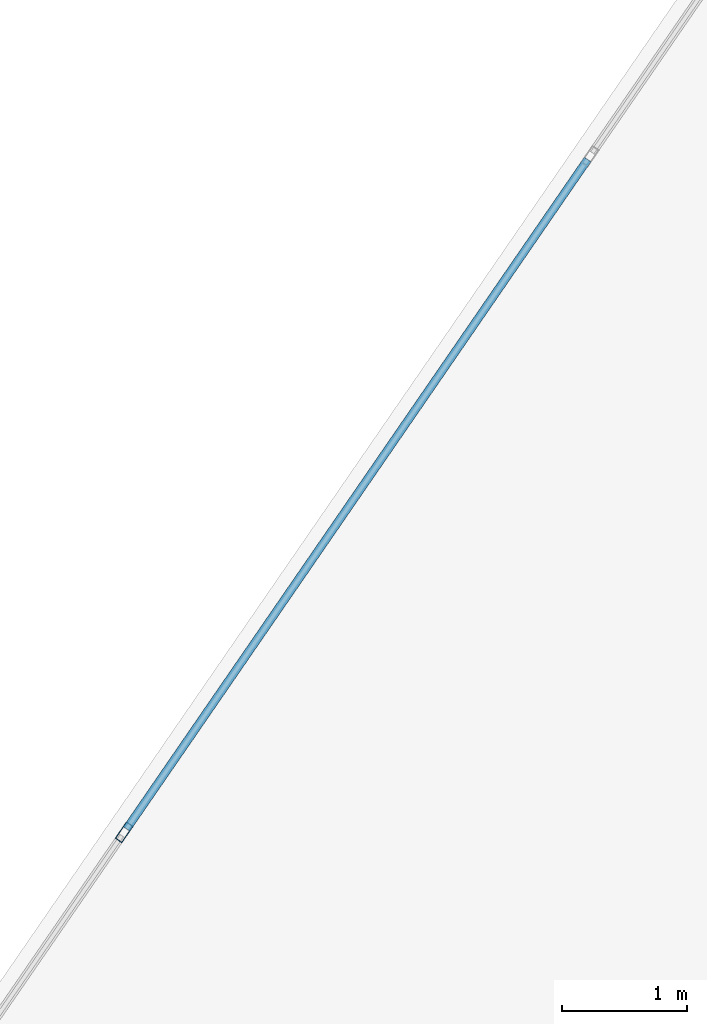
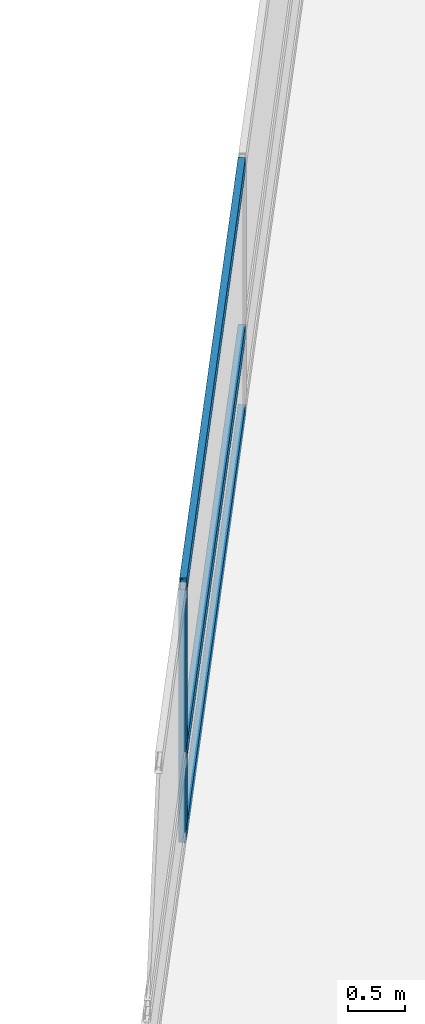
# One storey, part 13 of 25: 4 members, 1 element without a shape of its own.
"""IFC4 building model written with IfcOpenShell, lengths in metres."""

import ifcopenshell
import ifcopenshell.guid

model = None  # the IFC model being written
_history = None  # IfcOwnerHistory: only IFC2X3 demands one
_inside = {}  # id of a spatial element -> (the spatial element, [elements in it])
_under = {}  # id of a project, library or spatial element -> (it, [spatial elements below it])
_declared = {}  # id of a project -> (the project, [libraries it declares])
_typed = {}  # id of a type object -> (the type object, [elements of that type])
_made_of = {}  # id of a material, layer set ... -> (it, [elements and type objects made of it])


def new_model(schema):
    """Start an empty IFC model of exactly this schema.

    Asked for "IFC4X3", IfcOpenShell would pick the latest addendum, in which some entities
    have other attributes; the version numbers below select the first issue.
    IFC2X3 requires an IfcOwnerHistory on every rooted entity: one is made here for all.
    """
    global model, _history
    if schema == "IFC4X3":
        model = ifcopenshell.file(schema_version=(4, 3, 0, 0))
    else:
        model = ifcopenshell.file(schema=schema)
    _inside.clear()
    _under.clear()
    _declared.clear()
    _typed.clear()
    _made_of.clear()
    _history = None
    if model.schema == "IFC2X3":
        org = make("IfcOrganization", Name="unknown")
        user = make(
            "IfcPersonAndOrganization",
            ThePerson=make("IfcPerson", FamilyName="unknown"),
            TheOrganization=org,
        )
        app = make(
            "IfcApplication",
            ApplicationDeveloper=org,
            Version="unknown",
            ApplicationFullName="unknown",
            ApplicationIdentifier="unknown",
        )
        _history = make(
            "IfcOwnerHistory",
            OwningUser=user,
            OwningApplication=app,
            ChangeAction="ADDED",
            CreationDate=0,
        )
    return model


def make(cls, **values):
    """One entity of the class cls with the attributes given. An attribute that is None is left unset."""
    return model.create_entity(
        cls, **{name: value for name, value in values.items() if value is not None}
    )


def rooted(cls, **values):
    """An entity with a GlobalId (a new one), such as an element, a storey or a relation."""
    return make(cls, GlobalId=ifcopenshell.guid.new(), OwnerHistory=_history, **values)


def si_unit(unit_type, name, prefix=None):
    """IfcSIUnit, for example si_unit("LENGTHUNIT", "METRE", prefix="MILLI")."""
    return make("IfcSIUnit", UnitType=unit_type, Prefix=prefix, Name=name)


def assignment(units):
    """IfcUnitAssignment: the units of a project."""
    return None if units is None else make("IfcUnitAssignment", Units=units)


def point(xyz):
    """IfcCartesianPoint."""
    return None if xyz is None else make("IfcCartesianPoint", Coordinates=xyz)


def direction(xyz):
    """IfcDirection."""
    return None if xyz is None else make("IfcDirection", DirectionRatios=xyz)


def frame(location, z_axis=None, x_axis=None):
    """IfcAxis2Placement3D, a coordinate frame: its origin and axes. An axis left out is left unset."""
    return make(
        "IfcAxis2Placement3D",
        Location=point(location),
        Axis=direction(z_axis),
        RefDirection=direction(x_axis),
    )


def frame_2d(location, x_axis=None):
    """IfcAxis2Placement2D, a coordinate frame in the plane: its origin and x axis."""
    return make(
        "IfcAxis2Placement2D", Location=point(location), RefDirection=direction(x_axis)
    )


def origin():
    """The frame at (0, 0, 0) with its axes left unset."""
    return frame((0.0, 0.0, 0.0))


def origin_2d():
    """The frame at (0, 0) in the plane with its x axis left unset."""
    return frame_2d((0.0, 0.0))


def place(relative_to, where):
    """IfcLocalPlacement: puts the frame where relative to a parent placement (None: the world)."""
    return make(
        "IfcLocalPlacement", PlacementRelTo=relative_to, RelativePlacement=where
    )


def context(
    kind, dimensions, precision=None, world=None, true_north=None, identifier=None
):
    """IfcGeometricRepresentationContext, for example the 3D "Model" context."""
    return make(
        "IfcGeometricRepresentationContext",
        ContextIdentifier=identifier,
        ContextType=kind,
        CoordinateSpaceDimension=dimensions,
        Precision=precision,
        WorldCoordinateSystem=world,
        TrueNorth=true_north,
    )


def subcontext(parent, identifier, kind, view, scale=None):
    """IfcGeometricRepresentationSubContext, for example "Body" below "Model"."""
    return make(
        "IfcGeometricRepresentationSubContext",
        ContextIdentifier=identifier,
        ContextType=kind,
        ParentContext=parent,
        TargetScale=scale,
        TargetView=view,
    )


def project(units=None, contexts=None):
    """IfcProject with its units and contexts."""
    return rooted(
        "IfcProject",
        Name="project",
        RepresentationContexts=contexts,
        UnitsInContext=assignment(units),
    )


def spatial(cls, under=None, at=None, **own):
    """A site, building, storey or space (cls), placed at a placement, below another one or the project."""
    s = rooted(cls, ObjectPlacement=at, **own)
    if under is not None:
        _under.setdefault(under.id(), (under, []))[1].append(s)
    return s


def profile(cls, at=None, kind="AREA", **sizes):
    """A parametric profile (cls). Its sizes go by their IFC names, for example OverallWidth=200.0."""
    return make(cls, ProfileType=kind, Position=at, **sizes)


def hollow_rectangle(**sizes):
    """IfcRectangleHollowProfileDef."""
    return profile("IfcRectangleHollowProfileDef", **sizes)


def extrude(swept, where, along, depth):
    """IfcExtrudedAreaSolid: the profile swept, set in the frame where, extruded along a direction by depth."""
    return make(
        "IfcExtrudedAreaSolid",
        SweptArea=swept,
        Position=where,
        ExtrudedDirection=direction(along),
        Depth=depth,
    )


def shape(context_of_items, identifier, shape_type, items):
    """IfcShapeRepresentation: the items that make up one representation, for example the "Body"."""
    return make(
        "IfcShapeRepresentation",
        ContextOfItems=context_of_items,
        RepresentationIdentifier=identifier,
        RepresentationType=shape_type,
        Items=items,
    )


def material(Name=None, Category=None):
    """IfcMaterial."""
    return make("IfcMaterial", Name=Name, Category=Category)


def layer(
    of_material, thickness, ventilated=None, Name=None, Category=None, Priority=None
):
    """IfcMaterialLayer: one layer of a wall or slab, of a material (None: an air gap)."""
    return make(
        "IfcMaterialLayer",
        Material=of_material,
        LayerThickness=thickness,
        IsVentilated=ventilated,
        Name=Name,
        Category=Category,
        Priority=Priority,
    )


def layer_set(layers, Name=None):
    """IfcMaterialLayerSet."""
    return make("IfcMaterialLayerSet", MaterialLayers=layers, LayerSetName=Name)


def material_profile(
    of_material, cross_section, Name=None, Category=None, Priority=None
):
    """IfcMaterialProfile: a cross section and its material."""
    return make(
        "IfcMaterialProfile",
        Name=Name,
        Material=of_material,
        Profile=cross_section,
        Priority=Priority,
        Category=Category,
    )


def profile_set(profiles, Name=None, composite=None):
    """IfcMaterialProfileSet."""
    return make(
        "IfcMaterialProfileSet",
        Name=Name,
        MaterialProfiles=profiles,
        CompositeProfile=composite,
    )


def made_of(thing, what):
    """Note that an element or type object is made of a material, layer set ...; save() writes the relation."""
    if what is not None:
        _made_of.setdefault(what.id(), (what, []))[1].append(thing)
    return thing


def type_object(cls, material=None, **own):
    """A type object (cls), such as IfcWallType, which elements share."""
    return made_of(rooted(cls, **own), material)


def element(
    cls,
    number,
    at=None,
    inside=None,
    cuts=None,
    type_object=None,
    material=None,
    context=None,
    identifier="Body",
    shape_type=None,
    held_by="IfcProductDefinitionShape",
    body=None,
    shapes=None,
    **own,
):
    """One element of the class cls, such as IfcWall. Its Tag is "e" and its number.

    at: its placement. inside: the storey or other place that contains it. cuts: it is an
    opening in that element (IfcRelVoidsElement). A single representation is given by context,
    identifier, shape_type and body (its items); several are given by shapes. held_by: the class
    of the entity that holds the representations. save() writes the other relations.
    """
    e = rooted(cls, Tag="e%d" % number, ObjectPlacement=at, **own)
    if body is not None:
        shapes = [shape(context, identifier, shape_type, body)]
    if shapes is not None:
        e.Representation = make(held_by, Representations=shapes)
    if inside is not None:
        _inside.setdefault(inside.id(), (inside, []))[1].append(e)
    if cuts is not None:
        rooted(
            "IfcRelVoidsElement", RelatingBuildingElement=cuts, RelatedOpeningElement=e
        )
    if type_object is not None:
        _typed.setdefault(type_object.id(), (type_object, []))[1].append(e)
    return made_of(e, material)


def aggregate(whole, parts):
    """IfcRelAggregates: a whole, such as a stair, and the parts it consists of."""
    return rooted("IfcRelAggregates", RelatingObject=whole, RelatedObjects=parts)


def save(model, path):
    """Write the relations noted so far, then the file.

    IfcRelAggregates (storeys below a building ...), IfcRelContainedInSpatialStructure (elements
    in a storey), IfcRelDefinesByType, IfcRelAssociatesMaterial and IfcRelDeclares: one each for
    every whole, place, type object, material and project.
    """
    for whole, parts in _under.values():
        aggregate(whole, parts)
    for where, things in _inside.values():
        rooted(
            "IfcRelContainedInSpatialStructure",
            RelatedElements=things,
            RelatingStructure=where,
        )
    for kind, things in _typed.values():
        rooted("IfcRelDefinesByType", RelatedObjects=things, RelatingType=kind)
    for what, things in _made_of.values():
        rooted("IfcRelAssociatesMaterial", RelatedObjects=things, RelatingMaterial=what)
    for by, libraries in _declared.values():
        rooted("IfcRelDeclares", RelatingContext=by, RelatedDefinitions=libraries)
    model.write(path)


model = new_model("IFC4")

# Units and contexts
model_context = context("Model", 3, precision=1e-05, world=origin(), true_north=direction((0.0, 1.0)))
body_context = subcontext(model_context, "Body", "Model", "MODEL_VIEW")
ifc_project = project(units=[si_unit("LENGTHUNIT", "METRE"), si_unit("AREAUNIT", "SQUARE_METRE"), si_unit("VOLUMEUNIT", "CUBIC_METRE"), si_unit("PLANEANGLEUNIT", "RADIAN"), si_unit("MASSUNIT", "GRAM", prefix="KILO")], contexts=[model_context])

# Site, building, storey
site_placement = place(None, origin())
site = spatial("IfcSite", under=ifc_project, at=site_placement, CompositionType="ELEMENT")
building_placement = place(site_placement, origin())
building = spatial("IfcBuilding", under=site, at=building_placement, Name="Varnelok Gate Tower", CompositionType="ELEMENT")
storey_placement = place(building_placement, frame((0.0, 0.0, 64.0)))
storey = spatial("IfcBuildingStorey", under=building, at=storey_placement, Name="L15", CompositionType="ELEMENT", Elevation=64.0)

# Curtain wall, members
ifc_material = material(Name="Anodized Aluminum Alloy 6063-T6", Category="aluminium")
ifc_layer = layer(ifc_material, 0.179931640625)
ifc_layer_set = layer_set([ifc_layer], Name="Anodized Aluminum Alloy 6063-T6")
curtain_wall_type = type_object("IfcCurtainWallType", Name="CW3-HOTEL-VISION", PredefinedType="USERDEFINED", material=ifc_layer_set)
curtain_wall_placement = place(storey_placement, origin())
curtain_wall = element("IfcCurtainWall", 1, at=curtain_wall_placement, inside=storey, type_object=curtain_wall_type, Name="L15 West End Vision Curtain Wall", ObjectType="UNITISED CURTAIN WALL", PredefinedType="USERDEFINED")
ifc_material_profile_1 = material_profile(ifc_material, hollow_rectangle(XDim=0.06494140625, YDim=0.159912109375, WallThickness=0.00390625, at=origin_2d()), Name="ALU160X65X4")
ifc_profile_set_1 = profile_set([ifc_material_profile_1], Name="Anodized Aluminum Alloy 6063-T6")
member_type_1 = type_object("IfcMemberType", Name="CW-MULL-160", PredefinedType="MULLION", material=ifc_profile_set_1)
member_1_placement = place(storey_placement, frame((10.7578125, 52.865478515625, 0.0), z_axis=(0.0, 0.0, 1.0), x_axis=(-0.823532685111, 0.567268822124, 0.0)))
member_1 = element("IfcMember", 2, at=member_1_placement, type_object=member_type_1, Name="CW3 mullion 5", PredefinedType="MULLION", context=body_context, shape_type="SweptSolid", body=[
    extrude(hollow_rectangle(XDim=0.06494140625, YDim=0.159912109375, WallThickness=0.00390625, at=origin_2d()), origin(), (0.0, 0.0, 1.0), 2.72998046875),
])
ifc_material_profile_2 = material_profile(ifc_material, hollow_rectangle(XDim=0.06494140625, YDim=0.159912109375, WallThickness=0.00390625, at=origin_2d()), Name="ALU160X65X4")
ifc_profile_set_2 = profile_set([ifc_material_profile_2], Name="Anodized Aluminum Alloy 6063-T6")
member_type_2 = type_object("IfcMemberType", Name="CW-TRAN-160", PredefinedType="USERDEFINED", material=ifc_profile_set_2)
member_2_placement = place(storey_placement, frame((10.7763671875, 52.89208984375, 0.032470703125), z_axis=(0.567261662339, 0.823537616894, 0.0), x_axis=(-0.823537616894, 0.567261662339, 0.0)))
member_2 = element("IfcMember", 3, at=member_2_placement, type_object=member_type_2, Name="CW3 transom 5.1", ObjectType="TRANSOM", PredefinedType="USERDEFINED", context=body_context, shape_type="SweptSolid", body=[
    extrude(hollow_rectangle(XDim=0.06494140625, YDim=0.159912109375, WallThickness=0.00390625, at=origin_2d()), origin(), (0.0, 0.0, 1.0), 6.501708984375),
])
member_3_placement = place(storey_placement, frame((10.7763671875, 52.89208984375, 0.89990234375), z_axis=(0.567261662339, 0.823537616894, 0.0), x_axis=(-0.823537616894, 0.567261662339, 0.0)))
member_3 = element("IfcMember", 4, at=member_3_placement, type_object=member_type_2, Name="CW3 transom 5.2", ObjectType="TRANSOM", PredefinedType="USERDEFINED", context=body_context, shape_type="SweptSolid", body=[
    extrude(hollow_rectangle(XDim=0.06494140625, YDim=0.159912109375, WallThickness=0.00390625, at=origin_2d()), origin(), (0.0, 0.0, 1.0), 6.501708984375),
])
member_4_placement = place(storey_placement, frame((10.7763671875, 52.89208984375, 2.697509765625), z_axis=(0.567261662339, 0.823537616894, 0.0), x_axis=(-0.823537616894, 0.567261662339, 0.0)))
member_4 = element("IfcMember", 5, at=member_4_placement, type_object=member_type_2, Name="CW3 transom 5.3", ObjectType="TRANSOM", PredefinedType="USERDEFINED", context=body_context, shape_type="SweptSolid", body=[
    extrude(hollow_rectangle(XDim=0.06494140625, YDim=0.159912109375, WallThickness=0.00390625, at=origin_2d()), origin(), (0.0, 0.0, 1.0), 6.501708984375),
])
aggregate(curtain_wall, [member_1, member_2, member_3, member_4])

save(model, "model.ifc")
